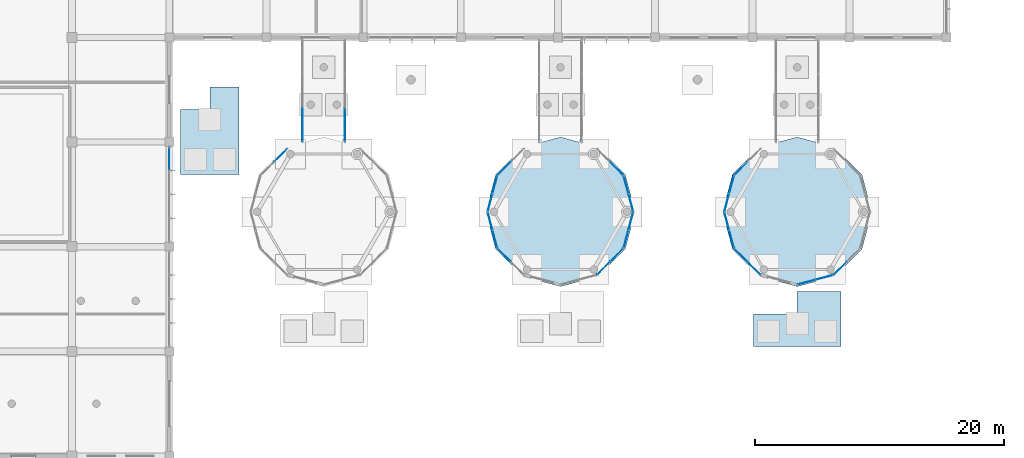
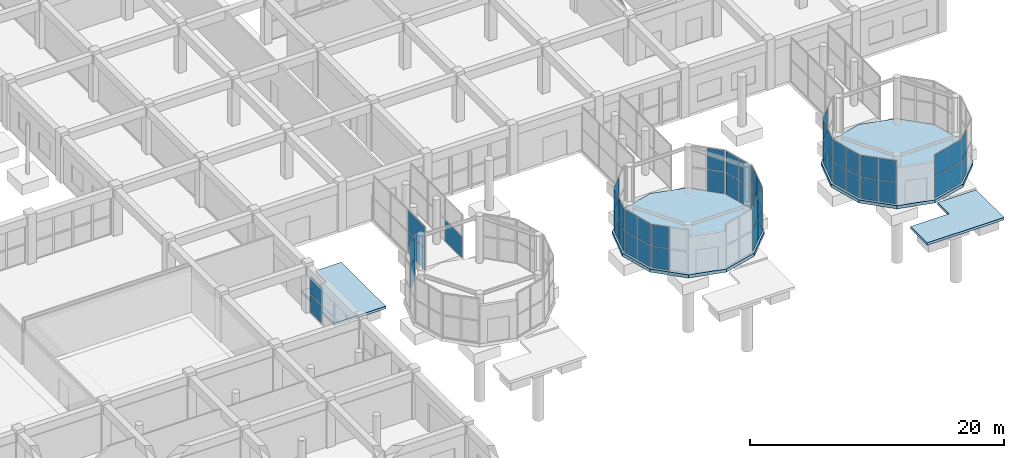
# One storey, part 111 of 139: 53 plates, 4 slabs, 18 elements without a shape of their own.
"""IFC4 building model written with IfcOpenShell, lengths in metres."""

from ifc_helpers import new_model, si_unit, direction, frame, origin, origin_2d, place, context, subcontext, project, spatial, polyline, rectangle, outline, extrude, material, layer, layer_set, type_object, element, aggregate, save


model = new_model("IFC4")

# Units and contexts
model_context = context("Model", 3, precision=1e-05, world=origin(), true_north=direction((0.0, 1.0)))
body_context = subcontext(model_context, "Body", "Model", "MODEL_VIEW")
ifc_project = project(units=[si_unit("LENGTHUNIT", "METRE"), si_unit("AREAUNIT", "SQUARE_METRE"), si_unit("VOLUMEUNIT", "CUBIC_METRE"), si_unit("PLANEANGLEUNIT", "RADIAN"), si_unit("MASSUNIT", "GRAM", prefix="KILO")], contexts=[model_context])

# Site, building, storey
site_placement = place(None, origin())
site = spatial("IfcSite", under=ifc_project, at=site_placement, CompositionType="ELEMENT")
building_placement = place(site_placement, origin())
building = spatial("IfcBuilding", under=site, at=building_placement, Name="Zizhar Promenade General Hospital", CompositionType="ELEMENT")
storey_placement = place(building_placement, origin())
storey = spatial("IfcBuildingStorey", under=building, at=storey_placement, Name="L00", CompositionType="ELEMENT", Elevation=0.0)

# Curtain wall, plates
ifc_material_1 = material(Name="Anodised aluminium 6063-T6 and low-E glass", Category="aluminium")
ifc_layer_1 = layer(ifc_material_1, 0.159912109375)
ifc_layer_set_1 = layer_set([ifc_layer_1], Name="Anodised aluminium 6063-T6 and low-E glass")
curtain_wall_type_1 = type_object("IfcCurtainWallType", Name="CW-HALL-S", PredefinedType="NOTDEFINED", material=ifc_layer_set_1)
curtain_wall_1_placement = place(storey_placement, origin())
curtain_wall_1 = element("IfcCurtainWall", 1, at=curtain_wall_1_placement, inside=storey, type_object=curtain_wall_type_1, Name="Forecourt Arrival Glazed Curtain Wall L00-3", PredefinedType="NOTDEFINED")
ifc_material_2 = material(Name="Low-E solar-control glass", Category="glass")
ifc_layer_2 = layer(ifc_material_2, 0.031982421875)
ifc_layer_set_2 = layer_set([ifc_layer_2], Name="Low-E solar-control glass")
plate_type = type_object("IfcPlateType", Name="CWP-GLZ-32", PredefinedType="CURTAIN_PANEL", material=ifc_layer_set_2)
plate_1_placement = place(storey_placement, frame((132.60009765625, 32.260009765625, 0.06005859375), z_axis=(0.0, 0.0, 1.0), x_axis=(0.0, -1.0, 0.0)))
plate_1 = element("IfcPlate", 2, at=plate_1_placement, type_object=plate_type, Name="CW-01 panel 1.1", PredefinedType="CURTAIN_PANEL", context=body_context, shape_type="SweptSolid", body=[
    extrude(rectangle(XDim=1.800048828125, YDim=0.031982421875, at=origin_2d()), origin(), (0.0, 0.0, 1.0), 1.72509765625),
])
plate_2_placement = place(storey_placement, frame((132.60009765625, 32.260009765625, 1.844970703125), z_axis=(0.0, 0.0, 1.0), x_axis=(0.0, -1.0, 0.0)))
plate_2 = element("IfcPlate", 3, at=plate_2_placement, type_object=plate_type, Name="CW-01 panel 1.2", PredefinedType="CURTAIN_PANEL", context=body_context, shape_type="SweptSolid", body=[
    extrude(rectangle(XDim=1.800048828125, YDim=0.031982421875, at=origin_2d()), origin(), (0.0, 0.0, 1.0), 1.72509765625),
])
aggregate(curtain_wall_1, [plate_1, plate_2])

ifc_material_3 = material(Name="Anodised aluminium 6063-T6 and low-E glass", Category="aluminium")
ifc_layer_3 = layer(ifc_material_3, 0.159912109375)
ifc_layer_set_3 = layer_set([ifc_layer_3], Name="Anodised aluminium 6063-T6 and low-E glass")
curtain_wall_type_2 = type_object("IfcCurtainWallType", Name="CW-PAV-GLZ", PredefinedType="NOTDEFINED", material=ifc_layer_set_3)
curtain_wall_2_placement = place(storey_placement, origin())
curtain_wall_2 = element("IfcCurtainWall", 4, at=curtain_wall_2_placement, inside=storey, type_object=curtain_wall_type_2, Name="Outpatient Welcome Pavilion Curved Glazing 5", PredefinedType="NOTDEFINED")
plate_3_placement = place(storey_placement, frame((141.529052734375, 32.520263671875, 0.06005859375), z_axis=(0.0, 0.0, 1.0), x_axis=(0.707106781187, 0.707106781187, 0.0)))
plate_3 = element("IfcPlate", 5, at=plate_3_placement, type_object=plate_type, Name="CW-14 panel 2.1", PredefinedType="CURTAIN_PANEL", context=body_context, shape_type="SweptSolid", body=[
    extrude(rectangle(XDim=1.424072265625, YDim=0.031982421875, at=origin_2d()), origin(), (0.0, 0.0, 1.0), 2.050048828125),
])
plate_4_placement = place(storey_placement, frame((141.529052734375, 32.520263671875, 2.169921875), z_axis=(0.0, 0.0, 1.0), x_axis=(0.707106781187, 0.707106781187, 0.0)))
plate_4 = element("IfcPlate", 6, at=plate_4_placement, type_object=plate_type, Name="CW-14 panel 2.2", PredefinedType="CURTAIN_PANEL", context=body_context, shape_type="SweptSolid", body=[
    extrude(rectangle(XDim=1.424072265625, YDim=0.031982421875, at=origin_2d()), origin(), (0.0, 0.0, 1.0), 2.050048828125),
])
aggregate(curtain_wall_2, [plate_3, plate_4])

curtain_wall_3_placement = place(storey_placement, origin())
curtain_wall_3 = element("IfcCurtainWall", 7, at=curtain_wall_3_placement, inside=storey, type_object=curtain_wall_type_2, Name="Outpatient Welcome Pavilion Link West Glazing", PredefinedType="NOTDEFINED")
plate_5_placement = place(storey_placement, frame((143.300048828125, 34.981689453125, 0.06005859375), z_axis=(0.0, 0.0, 1.0), x_axis=(0.0, 1.0, 0.0)))
plate_5 = element("IfcPlate", 8, at=plate_5_placement, type_object=plate_type, Name="CW-14 panel 1.1", PredefinedType="CURTAIN_PANEL", context=body_context, shape_type="SweptSolid", body=[
    extrude(rectangle(XDim=2.643310546875, YDim=0.031982421875, at=origin_2d()), origin(), (0.0, 0.0, 1.0), 2.050048828125),
])
plate_6_placement = place(storey_placement, frame((143.300048828125, 34.981689453125, 2.169921875), z_axis=(0.0, 0.0, 1.0), x_axis=(0.0, 1.0, 0.0)))
plate_6 = element("IfcPlate", 9, at=plate_6_placement, type_object=plate_type, Name="CW-14 panel 1.2", PredefinedType="CURTAIN_PANEL", context=body_context, shape_type="SweptSolid", body=[
    extrude(rectangle(XDim=2.643310546875, YDim=0.031982421875, at=origin_2d()), origin(), (0.0, 0.0, 1.0), 2.050048828125),
])
aggregate(curtain_wall_3, [plate_5, plate_6])

# Curtain wall, plate
curtain_wall_4_placement = place(storey_placement, origin())
curtain_wall_4 = element("IfcCurtainWall", 10, at=curtain_wall_4_placement, inside=storey, type_object=curtain_wall_type_2, Name="Outpatient Welcome Pavilion Link East Glazing", PredefinedType="NOTDEFINED")
plate_7_placement = place(storey_placement, frame((146.699951171875, 34.981689453125, 0.06005859375), z_axis=(0.0, 0.0, 1.0), x_axis=(0.0, -1.0, 0.0)))
plate_7 = element("IfcPlate", 11, at=plate_7_placement, type_object=plate_type, Name="CW-14 panel 3.1", PredefinedType="CURTAIN_PANEL", context=body_context, shape_type="SweptSolid", body=[
    extrude(rectangle(XDim=2.643310546875, YDim=0.031982421875, at=origin_2d()), origin(), (0.0, 0.0, 1.0), 2.050048828125),
])
aggregate(curtain_wall_4, [plate_7])

# Curtain wall, plates
curtain_wall_5_placement = place(storey_placement, origin())
curtain_wall_5 = element("IfcCurtainWall", 12, at=curtain_wall_5_placement, inside=storey, type_object=curtain_wall_type_2, Name="Pharmacy Collection Pavilion Curved Glazing 1", PredefinedType="NOTDEFINED")
plate_8_placement = place(storey_placement, frame((169.26611328125, 30.17919921875, 0.06005859375), z_axis=(0.0, 0.0, 1.0), x_axis=(0.25883402288, -0.965921812881, 0.0)))
plate_8 = element("IfcPlate", 13, at=plate_8_placement, type_object=plate_type, Name="CW-14 panel 1.1", PredefinedType="CURTAIN_PANEL", context=body_context, shape_type="SweptSolid", body=[
    extrude(rectangle(XDim=1.424072265625, YDim=0.031982421875, at=origin_2d()), origin(), (0.0, 0.0, 1.0), 2.050048828125),
])
plate_9_placement = place(storey_placement, frame((169.26611328125, 30.17919921875, 2.169921875), z_axis=(0.0, 0.0, 1.0), x_axis=(0.25883402288, -0.965921812881, 0.0)))
plate_9 = element("IfcPlate", 14, at=plate_9_placement, type_object=plate_type, Name="CW-14 panel 1.2", PredefinedType="CURTAIN_PANEL", context=body_context, shape_type="SweptSolid", body=[
    extrude(rectangle(XDim=1.424072265625, YDim=0.031982421875, at=origin_2d()), origin(), (0.0, 0.0, 1.0), 2.050048828125),
])
plate_10_placement = place(storey_placement, frame((169.650146484375, 28.745849609375, 0.06005859375), z_axis=(0.0, 0.0, 1.0), x_axis=(0.25883402288, -0.965921812881, 0.0)))
plate_10 = element("IfcPlate", 15, at=plate_10_placement, type_object=plate_type, Name="CW-14 panel 2.1", PredefinedType="CURTAIN_PANEL", context=body_context, shape_type="SweptSolid", body=[
    extrude(rectangle(XDim=1.424072265625, YDim=0.031982421875, at=origin_2d()), origin(), (0.0, 0.0, 1.0), 2.050048828125),
])
plate_11_placement = place(storey_placement, frame((169.650146484375, 28.745849609375, 2.169921875), z_axis=(0.0, 0.0, 1.0), x_axis=(0.25883402288, -0.965921812881, 0.0)))
plate_11 = element("IfcPlate", 16, at=plate_11_placement, type_object=plate_type, Name="CW-14 panel 2.2", PredefinedType="CURTAIN_PANEL", context=body_context, shape_type="SweptSolid", body=[
    extrude(rectangle(XDim=1.424072265625, YDim=0.031982421875, at=origin_2d()), origin(), (0.0, 0.0, 1.0), 2.050048828125),
])
aggregate(curtain_wall_5, [plate_8, plate_9, plate_10, plate_11])

curtain_wall_6_placement = place(storey_placement, origin())
curtain_wall_6 = element("IfcCurtainWall", 17, at=curtain_wall_6_placement, inside=storey, type_object=curtain_wall_type_2, Name="Pharmacy Collection Pavilion Curved Glazing 2", PredefinedType="NOTDEFINED")
plate_12_placement = place(storey_placement, frame((168.520263671875, 31.470947265625, 0.06005859375), z_axis=(0.0, 0.0, 1.0), x_axis=(0.707106781187, -0.707106781187, 0.0)))
plate_12 = element("IfcPlate", 18, at=plate_12_placement, type_object=plate_type, Name="CW-14 panel 2.1", PredefinedType="CURTAIN_PANEL", context=body_context, shape_type="SweptSolid", body=[
    extrude(rectangle(XDim=1.424072265625, YDim=0.031982421875, at=origin_2d()), origin(), (0.0, 0.0, 1.0), 2.050048828125),
])
plate_13_placement = place(storey_placement, frame((168.520263671875, 31.470947265625, 2.169921875), z_axis=(0.0, 0.0, 1.0), x_axis=(0.707106781187, -0.707106781187, 0.0)))
plate_13 = element("IfcPlate", 19, at=plate_13_placement, type_object=plate_type, Name="CW-14 panel 2.2", PredefinedType="CURTAIN_PANEL", context=body_context, shape_type="SweptSolid", body=[
    extrude(rectangle(XDim=1.424072265625, YDim=0.031982421875, at=origin_2d()), origin(), (0.0, 0.0, 1.0), 2.050048828125),
])
aggregate(curtain_wall_6, [plate_12, plate_13])

curtain_wall_7_placement = place(storey_placement, origin())
curtain_wall_7 = element("IfcCurtainWall", 20, at=curtain_wall_7_placement, inside=storey, type_object=curtain_wall_type_2, Name="Pharmacy Collection Pavilion Curved Glazing 5", PredefinedType="NOTDEFINED")
plate_14_placement = place(storey_placement, frame((159.479736328125, 31.470947265625, 0.06005859375), z_axis=(0.0, 0.0, 1.0), x_axis=(0.707106781187, 0.707106781187, 0.0)))
plate_14 = element("IfcPlate", 21, at=plate_14_placement, type_object=plate_type, Name="CW-14 panel 1.1", PredefinedType="CURTAIN_PANEL", context=body_context, shape_type="SweptSolid", body=[
    extrude(rectangle(XDim=1.424072265625, YDim=0.031982421875, at=origin_2d()), origin(), (0.0, 0.0, 1.0), 2.050048828125),
])
plate_15_placement = place(storey_placement, frame((159.479736328125, 31.470947265625, 2.169921875), z_axis=(0.0, 0.0, 1.0), x_axis=(0.707106781187, 0.707106781187, 0.0)))
plate_15 = element("IfcPlate", 22, at=plate_15_placement, type_object=plate_type, Name="CW-14 panel 1.2", PredefinedType="CURTAIN_PANEL", context=body_context, shape_type="SweptSolid", body=[
    extrude(rectangle(XDim=1.424072265625, YDim=0.031982421875, at=origin_2d()), origin(), (0.0, 0.0, 1.0), 2.050048828125),
])
aggregate(curtain_wall_7, [plate_14, plate_15])

curtain_wall_8_placement = place(storey_placement, origin())
curtain_wall_8 = element("IfcCurtainWall", 23, at=curtain_wall_8_placement, inside=storey, type_object=curtain_wall_type_2, Name="Pharmacy Collection Pavilion Curved Glazing 6", PredefinedType="NOTDEFINED")
plate_16_placement = place(storey_placement, frame((158.349853515625, 28.745849609375, 0.06005859375), z_axis=(0.0, 0.0, 1.0), x_axis=(0.25883402288, 0.965921812881, 0.0)))
plate_16 = element("IfcPlate", 24, at=plate_16_placement, type_object=plate_type, Name="CW-14 panel 1.1", PredefinedType="CURTAIN_PANEL", context=body_context, shape_type="SweptSolid", body=[
    extrude(rectangle(XDim=1.424072265625, YDim=0.031982421875, at=origin_2d()), origin(), (0.0, 0.0, 1.0), 2.050048828125),
])
plate_17_placement = place(storey_placement, frame((158.349853515625, 28.745849609375, 2.169921875), z_axis=(0.0, 0.0, 1.0), x_axis=(0.25883402288, 0.965921812881, 0.0)))
plate_17 = element("IfcPlate", 25, at=plate_17_placement, type_object=plate_type, Name="CW-14 panel 1.2", PredefinedType="CURTAIN_PANEL", context=body_context, shape_type="SweptSolid", body=[
    extrude(rectangle(XDim=1.424072265625, YDim=0.031982421875, at=origin_2d()), origin(), (0.0, 0.0, 1.0), 2.050048828125),
])
plate_18_placement = place(storey_placement, frame((158.73388671875, 30.17919921875, 0.06005859375), z_axis=(0.0, 0.0, 1.0), x_axis=(0.25883402288, 0.965921812881, 0.0)))
plate_18 = element("IfcPlate", 26, at=plate_18_placement, type_object=plate_type, Name="CW-14 panel 2.1", PredefinedType="CURTAIN_PANEL", context=body_context, shape_type="SweptSolid", body=[
    extrude(rectangle(XDim=1.424072265625, YDim=0.031982421875, at=origin_2d()), origin(), (0.0, 0.0, 1.0), 2.050048828125),
])
plate_19_placement = place(storey_placement, frame((158.73388671875, 30.17919921875, 2.169921875), z_axis=(0.0, 0.0, 1.0), x_axis=(0.25883402288, 0.965921812881, 0.0)))
plate_19 = element("IfcPlate", 27, at=plate_19_placement, type_object=plate_type, Name="CW-14 panel 2.2", PredefinedType="CURTAIN_PANEL", context=body_context, shape_type="SweptSolid", body=[
    extrude(rectangle(XDim=1.424072265625, YDim=0.031982421875, at=origin_2d()), origin(), (0.0, 0.0, 1.0), 2.050048828125),
])
aggregate(curtain_wall_8, [plate_16, plate_17, plate_18, plate_19])

curtain_wall_9_placement = place(storey_placement, origin())
curtain_wall_9 = element("IfcCurtainWall", 28, at=curtain_wall_9_placement, inside=storey, type_object=curtain_wall_type_2, Name="Pharmacy Collection Pavilion Curved Glazing 7", PredefinedType="NOTDEFINED")
plate_20_placement = place(storey_placement, frame((158.73388671875, 25.82080078125, 0.06005859375), z_axis=(0.0, 0.0, 1.0), x_axis=(-0.25883402288, 0.965921812881, 0.0)))
plate_20 = element("IfcPlate", 29, at=plate_20_placement, type_object=plate_type, Name="CW-14 panel 1.1", PredefinedType="CURTAIN_PANEL", context=body_context, shape_type="SweptSolid", body=[
    extrude(rectangle(XDim=1.424072265625, YDim=0.031982421875, at=origin_2d()), origin(), (0.0, 0.0, 1.0), 2.050048828125),
])
plate_21_placement = place(storey_placement, frame((158.73388671875, 25.82080078125, 2.169921875), z_axis=(0.0, 0.0, 1.0), x_axis=(-0.25883402288, 0.965921812881, 0.0)))
plate_21 = element("IfcPlate", 30, at=plate_21_placement, type_object=plate_type, Name="CW-14 panel 1.2", PredefinedType="CURTAIN_PANEL", context=body_context, shape_type="SweptSolid", body=[
    extrude(rectangle(XDim=1.424072265625, YDim=0.031982421875, at=origin_2d()), origin(), (0.0, 0.0, 1.0), 2.050048828125),
])
plate_22_placement = place(storey_placement, frame((158.349853515625, 27.254150390625, 0.06005859375), z_axis=(0.0, 0.0, 1.0), x_axis=(-0.25883402288, 0.965921812881, 0.0)))
plate_22 = element("IfcPlate", 31, at=plate_22_placement, type_object=plate_type, Name="CW-14 panel 2.1", PredefinedType="CURTAIN_PANEL", context=body_context, shape_type="SweptSolid", body=[
    extrude(rectangle(XDim=1.424072265625, YDim=0.031982421875, at=origin_2d()), origin(), (0.0, 0.0, 1.0), 2.050048828125),
])
plate_23_placement = place(storey_placement, frame((158.349853515625, 27.254150390625, 2.169921875), z_axis=(0.0, 0.0, 1.0), x_axis=(-0.25883402288, 0.965921812881, 0.0)))
plate_23 = element("IfcPlate", 32, at=plate_23_placement, type_object=plate_type, Name="CW-14 panel 2.2", PredefinedType="CURTAIN_PANEL", context=body_context, shape_type="SweptSolid", body=[
    extrude(rectangle(XDim=1.424072265625, YDim=0.031982421875, at=origin_2d()), origin(), (0.0, 0.0, 1.0), 2.050048828125),
])
aggregate(curtain_wall_9, [plate_20, plate_21, plate_22, plate_23])

curtain_wall_10_placement = place(storey_placement, origin())
curtain_wall_10 = element("IfcCurtainWall", 33, at=curtain_wall_10_placement, inside=storey, type_object=curtain_wall_type_2, Name="Pharmacy Collection Pavilion Curved Glazing 8", PredefinedType="NOTDEFINED")
plate_24_placement = place(storey_placement, frame((159.479736328125, 24.529052734375, 0.06005859375), z_axis=(0.0, 0.0, 1.0), x_axis=(-0.707106781187, 0.707106781187, 0.0)))
plate_24 = element("IfcPlate", 34, at=plate_24_placement, type_object=plate_type, Name="CW-14 panel 2.1", PredefinedType="CURTAIN_PANEL", context=body_context, shape_type="SweptSolid", body=[
    extrude(rectangle(XDim=1.424072265625, YDim=0.031982421875, at=origin_2d()), origin(), (0.0, 0.0, 1.0), 2.050048828125),
])
plate_25_placement = place(storey_placement, frame((159.479736328125, 24.529052734375, 2.169921875), z_axis=(0.0, 0.0, 1.0), x_axis=(-0.707106781187, 0.707106781187, 0.0)))
plate_25 = element("IfcPlate", 35, at=plate_25_placement, type_object=plate_type, Name="CW-14 panel 2.2", PredefinedType="CURTAIN_PANEL", context=body_context, shape_type="SweptSolid", body=[
    extrude(rectangle(XDim=1.424072265625, YDim=0.031982421875, at=origin_2d()), origin(), (0.0, 0.0, 1.0), 2.050048828125),
])
aggregate(curtain_wall_10, [plate_24, plate_25])

curtain_wall_11_placement = place(storey_placement, origin())
curtain_wall_11 = element("IfcCurtainWall", 36, at=curtain_wall_11_placement, inside=storey, type_object=curtain_wall_type_2, Name="Pharmacy Collection Pavilion Curved Glazing 11", PredefinedType="NOTDEFINED")
plate_26_placement = place(storey_placement, frame((168.520263671875, 24.529052734375, 0.06005859375), z_axis=(0.0, 0.0, 1.0), x_axis=(-0.707106781187, -0.707106781187, 0.0)))
plate_26 = element("IfcPlate", 37, at=plate_26_placement, type_object=plate_type, Name="CW-14 panel 1.1", PredefinedType="CURTAIN_PANEL", context=body_context, shape_type="SweptSolid", body=[
    extrude(rectangle(XDim=1.424072265625, YDim=0.031982421875, at=origin_2d()), origin(), (0.0, 0.0, 1.0), 2.050048828125),
])
plate_27_placement = place(storey_placement, frame((168.520263671875, 24.529052734375, 2.169921875), z_axis=(0.0, 0.0, 1.0), x_axis=(-0.707106781187, -0.707106781187, 0.0)))
plate_27 = element("IfcPlate", 38, at=plate_27_placement, type_object=plate_type, Name="CW-14 panel 1.2", PredefinedType="CURTAIN_PANEL", context=body_context, shape_type="SweptSolid", body=[
    extrude(rectangle(XDim=1.424072265625, YDim=0.031982421875, at=origin_2d()), origin(), (0.0, 0.0, 1.0), 2.050048828125),
])
plate_28_placement = place(storey_placement, frame((167.470947265625, 23.479736328125, 0.06005859375), z_axis=(0.0, 0.0, 1.0), x_axis=(-0.707106781187, -0.707106781187, 0.0)))
plate_28 = element("IfcPlate", 39, at=plate_28_placement, type_object=plate_type, Name="CW-14 panel 2.1", PredefinedType="CURTAIN_PANEL", context=body_context, shape_type="SweptSolid", body=[
    extrude(rectangle(XDim=1.424072265625, YDim=0.031982421875, at=origin_2d()), origin(), (0.0, 0.0, 1.0), 2.050048828125),
])
plate_29_placement = place(storey_placement, frame((167.470947265625, 23.479736328125, 2.169921875), z_axis=(0.0, 0.0, 1.0), x_axis=(-0.707106781187, -0.707106781187, 0.0)))
plate_29 = element("IfcPlate", 40, at=plate_29_placement, type_object=plate_type, Name="CW-14 panel 2.2", PredefinedType="CURTAIN_PANEL", context=body_context, shape_type="SweptSolid", body=[
    extrude(rectangle(XDim=1.424072265625, YDim=0.031982421875, at=origin_2d()), origin(), (0.0, 0.0, 1.0), 2.050048828125),
])
aggregate(curtain_wall_11, [plate_26, plate_27, plate_28, plate_29])

curtain_wall_12_placement = place(storey_placement, origin())
curtain_wall_12 = element("IfcCurtainWall", 41, at=curtain_wall_12_placement, inside=storey, type_object=curtain_wall_type_2, Name="Pharmacy Collection Pavilion Curved Glazing 12", PredefinedType="NOTDEFINED")
plate_30_placement = place(storey_placement, frame((169.650146484375, 27.254150390625, 0.06005859375), z_axis=(0.0, 0.0, 1.0), x_axis=(-0.25883402288, -0.965921812881, 0.0)))
plate_30 = element("IfcPlate", 42, at=plate_30_placement, type_object=plate_type, Name="CW-14 panel 1.1", PredefinedType="CURTAIN_PANEL", context=body_context, shape_type="SweptSolid", body=[
    extrude(rectangle(XDim=1.424072265625, YDim=0.031982421875, at=origin_2d()), origin(), (0.0, 0.0, 1.0), 2.050048828125),
])
plate_31_placement = place(storey_placement, frame((169.650146484375, 27.254150390625, 2.169921875), z_axis=(0.0, 0.0, 1.0), x_axis=(-0.25883402288, -0.965921812881, 0.0)))
plate_31 = element("IfcPlate", 43, at=plate_31_placement, type_object=plate_type, Name="CW-14 panel 1.2", PredefinedType="CURTAIN_PANEL", context=body_context, shape_type="SweptSolid", body=[
    extrude(rectangle(XDim=1.424072265625, YDim=0.031982421875, at=origin_2d()), origin(), (0.0, 0.0, 1.0), 2.050048828125),
])
plate_32_placement = place(storey_placement, frame((169.26611328125, 25.82080078125, 0.06005859375), z_axis=(0.0, 0.0, 1.0), x_axis=(-0.25883402288, -0.965921812881, 0.0)))
plate_32 = element("IfcPlate", 44, at=plate_32_placement, type_object=plate_type, Name="CW-14 panel 2.1", PredefinedType="CURTAIN_PANEL", context=body_context, shape_type="SweptSolid", body=[
    extrude(rectangle(XDim=1.424072265625, YDim=0.031982421875, at=origin_2d()), origin(), (0.0, 0.0, 1.0), 2.050048828125),
])
plate_33_placement = place(storey_placement, frame((169.26611328125, 25.82080078125, 2.169921875), z_axis=(0.0, 0.0, 1.0), x_axis=(-0.25883402288, -0.965921812881, 0.0)))
plate_33 = element("IfcPlate", 45, at=plate_33_placement, type_object=plate_type, Name="CW-14 panel 2.2", PredefinedType="CURTAIN_PANEL", context=body_context, shape_type="SweptSolid", body=[
    extrude(rectangle(XDim=1.424072265625, YDim=0.031982421875, at=origin_2d()), origin(), (0.0, 0.0, 1.0), 2.050048828125),
])
aggregate(curtain_wall_12, [plate_30, plate_31, plate_32, plate_33])

curtain_wall_13_placement = place(storey_placement, origin())
curtain_wall_13 = element("IfcCurtainWall", 46, at=curtain_wall_13_placement, inside=storey, type_object=curtain_wall_type_2, Name="Community Health Information Pavilion Curved Glazing 5", PredefinedType="NOTDEFINED")
plate_34_placement = place(storey_placement, frame((178.479736328125, 31.470947265625, 0.06005859375), z_axis=(0.0, 0.0, 1.0), x_axis=(0.707106781187, 0.707106781187, 0.0)))
plate_34 = element("IfcPlate", 47, at=plate_34_placement, type_object=plate_type, Name="CW-14 panel 1.1", PredefinedType="CURTAIN_PANEL", context=body_context, shape_type="SweptSolid", body=[
    extrude(rectangle(XDim=1.424072265625, YDim=0.031982421875, at=origin_2d()), origin(), (0.0, 0.0, 1.0), 2.050048828125),
])
plate_35_placement = place(storey_placement, frame((178.479736328125, 31.470947265625, 2.169921875), z_axis=(0.0, 0.0, 1.0), x_axis=(0.707106781187, 0.707106781187, 0.0)))
plate_35 = element("IfcPlate", 48, at=plate_35_placement, type_object=plate_type, Name="CW-14 panel 1.2", PredefinedType="CURTAIN_PANEL", context=body_context, shape_type="SweptSolid", body=[
    extrude(rectangle(XDim=1.424072265625, YDim=0.031982421875, at=origin_2d()), origin(), (0.0, 0.0, 1.0), 2.050048828125),
])
aggregate(curtain_wall_13, [plate_34, plate_35])

curtain_wall_14_placement = place(storey_placement, origin())
curtain_wall_14 = element("IfcCurtainWall", 49, at=curtain_wall_14_placement, inside=storey, type_object=curtain_wall_type_2, Name="Community Health Information Pavilion Curved Glazing 6", PredefinedType="NOTDEFINED")
plate_36_placement = place(storey_placement, frame((177.349853515625, 28.745849609375, 0.06005859375), z_axis=(0.0, 0.0, 1.0), x_axis=(0.25883402288, 0.965921812881, 0.0)))
plate_36 = element("IfcPlate", 50, at=plate_36_placement, type_object=plate_type, Name="CW-14 panel 1.1", PredefinedType="CURTAIN_PANEL", context=body_context, shape_type="SweptSolid", body=[
    extrude(rectangle(XDim=1.424072265625, YDim=0.031982421875, at=origin_2d()), origin(), (0.0, 0.0, 1.0), 2.050048828125),
])
plate_37_placement = place(storey_placement, frame((177.349853515625, 28.745849609375, 2.169921875), z_axis=(0.0, 0.0, 1.0), x_axis=(0.25883402288, 0.965921812881, 0.0)))
plate_37 = element("IfcPlate", 51, at=plate_37_placement, type_object=plate_type, Name="CW-14 panel 1.2", PredefinedType="CURTAIN_PANEL", context=body_context, shape_type="SweptSolid", body=[
    extrude(rectangle(XDim=1.424072265625, YDim=0.031982421875, at=origin_2d()), origin(), (0.0, 0.0, 1.0), 2.050048828125),
])
plate_38_placement = place(storey_placement, frame((177.73388671875, 30.17919921875, 0.06005859375), z_axis=(0.0, 0.0, 1.0), x_axis=(0.25883402288, 0.965921812881, 0.0)))
plate_38 = element("IfcPlate", 52, at=plate_38_placement, type_object=plate_type, Name="CW-14 panel 2.1", PredefinedType="CURTAIN_PANEL", context=body_context, shape_type="SweptSolid", body=[
    extrude(rectangle(XDim=1.424072265625, YDim=0.031982421875, at=origin_2d()), origin(), (0.0, 0.0, 1.0), 2.050048828125),
])
plate_39_placement = place(storey_placement, frame((177.73388671875, 30.17919921875, 2.169921875), z_axis=(0.0, 0.0, 1.0), x_axis=(0.25883402288, 0.965921812881, 0.0)))
plate_39 = element("IfcPlate", 53, at=plate_39_placement, type_object=plate_type, Name="CW-14 panel 2.2", PredefinedType="CURTAIN_PANEL", context=body_context, shape_type="SweptSolid", body=[
    extrude(rectangle(XDim=1.424072265625, YDim=0.031982421875, at=origin_2d()), origin(), (0.0, 0.0, 1.0), 2.050048828125),
])
aggregate(curtain_wall_14, [plate_36, plate_37, plate_38, plate_39])

curtain_wall_15_placement = place(storey_placement, origin())
curtain_wall_15 = element("IfcCurtainWall", 54, at=curtain_wall_15_placement, inside=storey, type_object=curtain_wall_type_2, Name="Community Health Information Pavilion Curved Glazing 7", PredefinedType="NOTDEFINED")
plate_40_placement = place(storey_placement, frame((177.73388671875, 25.82080078125, 0.06005859375), z_axis=(0.0, 0.0, 1.0), x_axis=(-0.25883402288, 0.965921812881, 0.0)))
plate_40 = element("IfcPlate", 55, at=plate_40_placement, type_object=plate_type, Name="CW-14 panel 1.1", PredefinedType="CURTAIN_PANEL", context=body_context, shape_type="SweptSolid", body=[
    extrude(rectangle(XDim=1.424072265625, YDim=0.031982421875, at=origin_2d()), origin(), (0.0, 0.0, 1.0), 2.050048828125),
])
plate_41_placement = place(storey_placement, frame((177.73388671875, 25.82080078125, 2.169921875), z_axis=(0.0, 0.0, 1.0), x_axis=(-0.25883402288, 0.965921812881, 0.0)))
plate_41 = element("IfcPlate", 56, at=plate_41_placement, type_object=plate_type, Name="CW-14 panel 1.2", PredefinedType="CURTAIN_PANEL", context=body_context, shape_type="SweptSolid", body=[
    extrude(rectangle(XDim=1.424072265625, YDim=0.031982421875, at=origin_2d()), origin(), (0.0, 0.0, 1.0), 2.050048828125),
])
plate_42_placement = place(storey_placement, frame((177.349853515625, 27.254150390625, 0.06005859375), z_axis=(0.0, 0.0, 1.0), x_axis=(-0.25883402288, 0.965921812881, 0.0)))
plate_42 = element("IfcPlate", 57, at=plate_42_placement, type_object=plate_type, Name="CW-14 panel 2.1", PredefinedType="CURTAIN_PANEL", context=body_context, shape_type="SweptSolid", body=[
    extrude(rectangle(XDim=1.424072265625, YDim=0.031982421875, at=origin_2d()), origin(), (0.0, 0.0, 1.0), 2.050048828125),
])
plate_43_placement = place(storey_placement, frame((177.349853515625, 27.254150390625, 2.169921875), z_axis=(0.0, 0.0, 1.0), x_axis=(-0.25883402288, 0.965921812881, 0.0)))
plate_43 = element("IfcPlate", 58, at=plate_43_placement, type_object=plate_type, Name="CW-14 panel 2.2", PredefinedType="CURTAIN_PANEL", context=body_context, shape_type="SweptSolid", body=[
    extrude(rectangle(XDim=1.424072265625, YDim=0.031982421875, at=origin_2d()), origin(), (0.0, 0.0, 1.0), 2.050048828125),
])
aggregate(curtain_wall_15, [plate_40, plate_41, plate_42, plate_43])

curtain_wall_16_placement = place(storey_placement, origin())
curtain_wall_16 = element("IfcCurtainWall", 59, at=curtain_wall_16_placement, inside=storey, type_object=curtain_wall_type_2, Name="Community Health Information Pavilion Curved Glazing 8", PredefinedType="NOTDEFINED")
plate_44_placement = place(storey_placement, frame((179.529052734375, 23.479736328125, 0.06005859375), z_axis=(0.0, 0.0, 1.0), x_axis=(-0.707106781187, 0.707106781187, 0.0)))
plate_44 = element("IfcPlate", 60, at=plate_44_placement, type_object=plate_type, Name="CW-14 panel 1.1", PredefinedType="CURTAIN_PANEL", context=body_context, shape_type="SweptSolid", body=[
    extrude(rectangle(XDim=1.424072265625, YDim=0.031982421875, at=origin_2d()), origin(), (0.0, 0.0, 1.0), 2.050048828125),
])
plate_45_placement = place(storey_placement, frame((179.529052734375, 23.479736328125, 2.169921875), z_axis=(0.0, 0.0, 1.0), x_axis=(-0.707106781187, 0.707106781187, 0.0)))
plate_45 = element("IfcPlate", 61, at=plate_45_placement, type_object=plate_type, Name="CW-14 panel 1.2", PredefinedType="CURTAIN_PANEL", context=body_context, shape_type="SweptSolid", body=[
    extrude(rectangle(XDim=1.424072265625, YDim=0.031982421875, at=origin_2d()), origin(), (0.0, 0.0, 1.0), 2.050048828125),
])
plate_46_placement = place(storey_placement, frame((178.479736328125, 24.529052734375, 0.06005859375), z_axis=(0.0, 0.0, 1.0), x_axis=(-0.707106781187, 0.707106781187, 0.0)))
plate_46 = element("IfcPlate", 62, at=plate_46_placement, type_object=plate_type, Name="CW-14 panel 2.1", PredefinedType="CURTAIN_PANEL", context=body_context, shape_type="SweptSolid", body=[
    extrude(rectangle(XDim=1.424072265625, YDim=0.031982421875, at=origin_2d()), origin(), (0.0, 0.0, 1.0), 2.050048828125),
])
plate_47_placement = place(storey_placement, frame((178.479736328125, 24.529052734375, 2.169921875), z_axis=(0.0, 0.0, 1.0), x_axis=(-0.707106781187, 0.707106781187, 0.0)))
plate_47 = element("IfcPlate", 63, at=plate_47_placement, type_object=plate_type, Name="CW-14 panel 2.2", PredefinedType="CURTAIN_PANEL", context=body_context, shape_type="SweptSolid", body=[
    extrude(rectangle(XDim=1.424072265625, YDim=0.031982421875, at=origin_2d()), origin(), (0.0, 0.0, 1.0), 2.050048828125),
])
aggregate(curtain_wall_16, [plate_44, plate_45, plate_46, plate_47])

curtain_wall_17_placement = place(storey_placement, origin())
curtain_wall_17 = element("IfcCurtainWall", 64, at=curtain_wall_17_placement, inside=storey, type_object=curtain_wall_type_2, Name="Community Health Information Pavilion Curved Glazing 10", PredefinedType="NOTDEFINED")
plate_48_placement = place(storey_placement, frame((185.17919921875, 22.73388671875, 0.06005859375), z_axis=(0.0, 0.0, 1.0), x_axis=(-0.965921812881, -0.25883402288, 0.0)))
plate_48 = element("IfcPlate", 65, at=plate_48_placement, type_object=plate_type, Name="CW-14 panel 1.1", PredefinedType="CURTAIN_PANEL", context=body_context, shape_type="SweptSolid", body=[
    extrude(rectangle(XDim=1.424072265625, YDim=0.031982421875, at=origin_2d()), origin(), (0.0, 0.0, 1.0), 2.050048828125),
])
plate_49_placement = place(storey_placement, frame((185.17919921875, 22.73388671875, 2.169921875), z_axis=(0.0, 0.0, 1.0), x_axis=(-0.965921812881, -0.25883402288, 0.0)))
plate_49 = element("IfcPlate", 66, at=plate_49_placement, type_object=plate_type, Name="CW-14 panel 1.2", PredefinedType="CURTAIN_PANEL", context=body_context, shape_type="SweptSolid", body=[
    extrude(rectangle(XDim=1.424072265625, YDim=0.031982421875, at=origin_2d()), origin(), (0.0, 0.0, 1.0), 2.050048828125),
])
plate_50_placement = place(storey_placement, frame((183.745849609375, 22.349853515625, 0.06005859375), z_axis=(0.0, 0.0, 1.0), x_axis=(-0.965921812881, -0.25883402288, 0.0)))
plate_50 = element("IfcPlate", 67, at=plate_50_placement, type_object=plate_type, Name="CW-14 panel 2.1", PredefinedType="CURTAIN_PANEL", context=body_context, shape_type="SweptSolid", body=[
    extrude(rectangle(XDim=1.424072265625, YDim=0.031982421875, at=origin_2d()), origin(), (0.0, 0.0, 1.0), 2.050048828125),
])
plate_51_placement = place(storey_placement, frame((183.745849609375, 22.349853515625, 2.169921875), z_axis=(0.0, 0.0, 1.0), x_axis=(-0.965921812881, -0.25883402288, 0.0)))
plate_51 = element("IfcPlate", 68, at=plate_51_placement, type_object=plate_type, Name="CW-14 panel 2.2", PredefinedType="CURTAIN_PANEL", context=body_context, shape_type="SweptSolid", body=[
    extrude(rectangle(XDim=1.424072265625, YDim=0.031982421875, at=origin_2d()), origin(), (0.0, 0.0, 1.0), 2.050048828125),
])
aggregate(curtain_wall_17, [plate_48, plate_49, plate_50, plate_51])

curtain_wall_18_placement = place(storey_placement, origin())
curtain_wall_18 = element("IfcCurtainWall", 69, at=curtain_wall_18_placement, inside=storey, type_object=curtain_wall_type_2, Name="Community Health Information Pavilion Curved Glazing 11", PredefinedType="NOTDEFINED")
plate_52_placement = place(storey_placement, frame((186.470947265625, 23.479736328125, 0.06005859375), z_axis=(0.0, 0.0, 1.0), x_axis=(-0.707106781187, -0.707106781187, 0.0)))
plate_52 = element("IfcPlate", 70, at=plate_52_placement, type_object=plate_type, Name="CW-14 panel 2.1", PredefinedType="CURTAIN_PANEL", context=body_context, shape_type="SweptSolid", body=[
    extrude(rectangle(XDim=1.424072265625, YDim=0.031982421875, at=origin_2d()), origin(), (0.0, 0.0, 1.0), 2.050048828125),
])
plate_53_placement = place(storey_placement, frame((186.470947265625, 23.479736328125, 2.169921875), z_axis=(0.0, 0.0, 1.0), x_axis=(-0.707106781187, -0.707106781187, 0.0)))
plate_53 = element("IfcPlate", 71, at=plate_53_placement, type_object=plate_type, Name="CW-14 panel 2.2", PredefinedType="CURTAIN_PANEL", context=body_context, shape_type="SweptSolid", body=[
    extrude(rectangle(XDim=1.424072265625, YDim=0.031982421875, at=origin_2d()), origin(), (0.0, 0.0, 1.0), 2.050048828125),
])
aggregate(curtain_wall_18, [plate_52, plate_53])

# Slabs
ifc_material_4 = material(Name="Concrete C35/45", Category="concrete")
ifc_layer_4 = layer(ifc_material_4, 0.239990234375)
ifc_layer_set_4 = layer_set([ifc_layer_4], Name="Concrete C35/45")
slab_type_1 = type_object("IfcSlabType", Name="SLB-APPR-240", PredefinedType="USERDEFINED", material=ifc_layer_set_4)
slab_1_placement = place(storey_placement, frame((0.0, 0.0, -0.239990234375)))
element("IfcSlab", 72, at=slab_1_placement, inside=storey, type_object=slab_type_1, Name="Main Arrival Hall Forecourt Approach Slab", ObjectType="APPROACH_SLAB", PredefinedType="USERDEFINED", context=body_context, shape_type="SweptSolid", body=[
    extrude(outline(polyline([(133.5, 31.0), (138.199951171875, 31.0), (138.199951171875, 38.0), (135.85009765625, 38.0), (135.85009765625, 36.199951171875), (133.5, 36.199951171875), (133.5, 31.0)])), origin(), (0.0, 0.0, 1.0), 0.239990234375),
])
slab_2_placement = place(storey_placement, frame((0.0, 0.0, -0.239990234375)))
element("IfcSlab", 73, at=slab_2_placement, inside=storey, type_object=slab_type_1, Name="Community Health Pavilion Approach Slab", ObjectType="APPROACH_SLAB", PredefinedType="USERDEFINED", context=body_context, shape_type="SweptSolid", body=[
    extrude(outline(polyline([(179.5, 17.199951171875), (186.5, 17.199951171875), (186.5, 21.60009765625), (183.0, 21.60009765625), (183.0, 19.800048828125), (179.5, 19.800048828125), (179.5, 17.199951171875)])), origin(), (0.0, 0.0, 1.0), 0.239990234375),
])
ifc_material_5 = material(Name="Concrete C35/45", Category="concrete")
ifc_layer_5 = layer(ifc_material_5, 0.300048828125)
ifc_layer_set_5 = layer_set([ifc_layer_5], Name="Concrete C35/45")
slab_type_2 = type_object("IfcSlabType", Name="SLB-FLR-300", PredefinedType="FLOOR", material=ifc_layer_set_5)
slab_3_placement = place(storey_placement, frame((0.0, 0.0, -0.300048828125)))
element("IfcSlab", 74, at=slab_3_placement, inside=storey, type_object=slab_type_2, Name="Pharmacy Collection Pavilion Floor Slab", PredefinedType="FLOOR", context=body_context, shape_type="SweptSolid", body=[
    extrude(outline(polyline([(170.0, 28.0), (169.1962890625, 31.0), (167.0, 33.1962890625), (164.0, 34.0), (161.0, 33.1962890625), (158.8037109375, 31.0), (158.0, 28.0), (158.8037109375, 25.0), (161.0, 22.8037109375), (164.0, 22.0), (167.0, 22.8037109375), (169.1962890625, 25.0), (170.0, 28.0)])), origin(), (0.0, 0.0, 1.0), 0.300048828125),
])
slab_4_placement = place(storey_placement, frame((0.0, 0.0, -0.300048828125)))
element("IfcSlab", 75, at=slab_4_placement, inside=storey, type_object=slab_type_2, Name="Community Health Information Pavilion Floor Slab", PredefinedType="FLOOR", context=body_context, shape_type="SweptSolid", body=[
    extrude(outline(polyline([(189.0, 28.0), (188.1962890625, 31.0), (186.0, 33.1962890625), (183.0, 34.0), (180.0, 33.1962890625), (177.8037109375, 31.0), (177.0, 28.0), (177.8037109375, 25.0), (180.0, 22.8037109375), (183.0, 22.0), (186.0, 22.8037109375), (188.1962890625, 25.0), (189.0, 28.0)])), origin(), (0.0, 0.0, 1.0), 0.300048828125),
])

save(model, "model.ifc")
